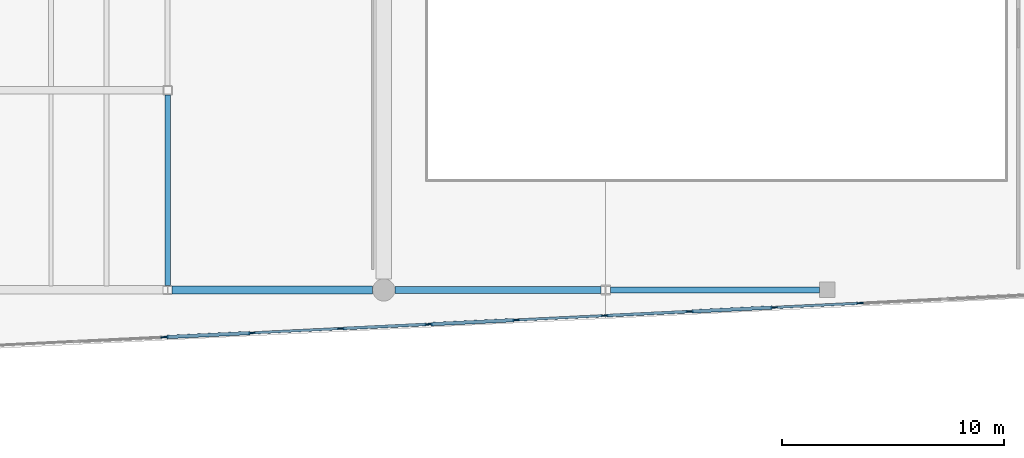
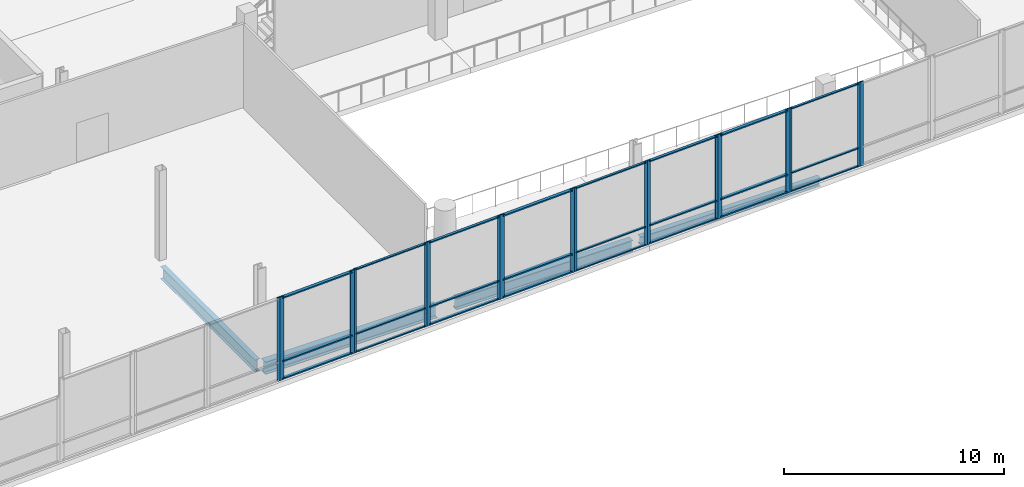
# One storey, part 26 of 81: 42 members, 4 beams, 10 elements without a shape of their own.
"""IFC4 building model written with IfcOpenShell, lengths in metres."""

import ifcopenshell
import ifcopenshell.guid

model = None  # the IFC model being written
_history = None  # IfcOwnerHistory: only IFC2X3 demands one
_inside = {}  # id of a spatial element -> (the spatial element, [elements in it])
_under = {}  # id of a project, library or spatial element -> (it, [spatial elements below it])
_declared = {}  # id of a project -> (the project, [libraries it declares])
_typed = {}  # id of a type object -> (the type object, [elements of that type])
_made_of = {}  # id of a material, layer set ... -> (it, [elements and type objects made of it])


def new_model(schema):
    """Start an empty IFC model of exactly this schema.

    Asked for "IFC4X3", IfcOpenShell would pick the latest addendum, in which some entities
    have other attributes; the version numbers below select the first issue.
    IFC2X3 requires an IfcOwnerHistory on every rooted entity: one is made here for all.
    """
    global model, _history
    if schema == "IFC4X3":
        model = ifcopenshell.file(schema_version=(4, 3, 0, 0))
    else:
        model = ifcopenshell.file(schema=schema)
    _inside.clear()
    _under.clear()
    _declared.clear()
    _typed.clear()
    _made_of.clear()
    _history = None
    if model.schema == "IFC2X3":
        org = make("IfcOrganization", Name="unknown")
        user = make(
            "IfcPersonAndOrganization",
            ThePerson=make("IfcPerson", FamilyName="unknown"),
            TheOrganization=org,
        )
        app = make(
            "IfcApplication",
            ApplicationDeveloper=org,
            Version="unknown",
            ApplicationFullName="unknown",
            ApplicationIdentifier="unknown",
        )
        _history = make(
            "IfcOwnerHistory",
            OwningUser=user,
            OwningApplication=app,
            ChangeAction="ADDED",
            CreationDate=0,
        )
    return model


def make(cls, **values):
    """One entity of the class cls with the attributes given. An attribute that is None is left unset."""
    return model.create_entity(
        cls, **{name: value for name, value in values.items() if value is not None}
    )


def rooted(cls, **values):
    """An entity with a GlobalId (a new one), such as an element, a storey or a relation."""
    return make(cls, GlobalId=ifcopenshell.guid.new(), OwnerHistory=_history, **values)


def si_unit(unit_type, name, prefix=None):
    """IfcSIUnit, for example si_unit("LENGTHUNIT", "METRE", prefix="MILLI")."""
    return make("IfcSIUnit", UnitType=unit_type, Prefix=prefix, Name=name)


def assignment(units):
    """IfcUnitAssignment: the units of a project."""
    return None if units is None else make("IfcUnitAssignment", Units=units)


def point(xyz):
    """IfcCartesianPoint."""
    return None if xyz is None else make("IfcCartesianPoint", Coordinates=xyz)


def direction(xyz):
    """IfcDirection."""
    return None if xyz is None else make("IfcDirection", DirectionRatios=xyz)


def frame(location, z_axis=None, x_axis=None):
    """IfcAxis2Placement3D, a coordinate frame: its origin and axes. An axis left out is left unset."""
    return make(
        "IfcAxis2Placement3D",
        Location=point(location),
        Axis=direction(z_axis),
        RefDirection=direction(x_axis),
    )


def frame_2d(location, x_axis=None):
    """IfcAxis2Placement2D, a coordinate frame in the plane: its origin and x axis."""
    return make(
        "IfcAxis2Placement2D", Location=point(location), RefDirection=direction(x_axis)
    )


def origin():
    """The frame at (0, 0, 0) with its axes left unset."""
    return frame((0.0, 0.0, 0.0))


def origin_2d():
    """The frame at (0, 0) in the plane with its x axis left unset."""
    return frame_2d((0.0, 0.0))


def place(relative_to, where):
    """IfcLocalPlacement: puts the frame where relative to a parent placement (None: the world)."""
    return make(
        "IfcLocalPlacement", PlacementRelTo=relative_to, RelativePlacement=where
    )


def context(
    kind, dimensions, precision=None, world=None, true_north=None, identifier=None
):
    """IfcGeometricRepresentationContext, for example the 3D "Model" context."""
    return make(
        "IfcGeometricRepresentationContext",
        ContextIdentifier=identifier,
        ContextType=kind,
        CoordinateSpaceDimension=dimensions,
        Precision=precision,
        WorldCoordinateSystem=world,
        TrueNorth=true_north,
    )


def subcontext(parent, identifier, kind, view, scale=None):
    """IfcGeometricRepresentationSubContext, for example "Body" below "Model"."""
    return make(
        "IfcGeometricRepresentationSubContext",
        ContextIdentifier=identifier,
        ContextType=kind,
        ParentContext=parent,
        TargetScale=scale,
        TargetView=view,
    )


def project(units=None, contexts=None):
    """IfcProject with its units and contexts."""
    return rooted(
        "IfcProject",
        Name="project",
        RepresentationContexts=contexts,
        UnitsInContext=assignment(units),
    )


def spatial(cls, under=None, at=None, **own):
    """A site, building, storey or space (cls), placed at a placement, below another one or the project."""
    s = rooted(cls, ObjectPlacement=at, **own)
    if under is not None:
        _under.setdefault(under.id(), (under, []))[1].append(s)
    return s


def profile(cls, at=None, kind="AREA", **sizes):
    """A parametric profile (cls). Its sizes go by their IFC names, for example OverallWidth=200.0."""
    return make(cls, ProfileType=kind, Position=at, **sizes)


def rectangle(**sizes):
    """IfcRectangleProfileDef."""
    return profile("IfcRectangleProfileDef", **sizes)


def i_section(**sizes):
    """IfcIShapeProfileDef."""
    return profile("IfcIShapeProfileDef", **sizes)


def extrude(swept, where, along, depth):
    """IfcExtrudedAreaSolid: the profile swept, set in the frame where, extruded along a direction by depth."""
    return make(
        "IfcExtrudedAreaSolid",
        SweptArea=swept,
        Position=where,
        ExtrudedDirection=direction(along),
        Depth=depth,
    )


def shape(context_of_items, identifier, shape_type, items):
    """IfcShapeRepresentation: the items that make up one representation, for example the "Body"."""
    return make(
        "IfcShapeRepresentation",
        ContextOfItems=context_of_items,
        RepresentationIdentifier=identifier,
        RepresentationType=shape_type,
        Items=items,
    )


def material(Name=None, Category=None):
    """IfcMaterial."""
    return make("IfcMaterial", Name=Name, Category=Category)


def material_profile(
    of_material, cross_section, Name=None, Category=None, Priority=None
):
    """IfcMaterialProfile: a cross section and its material."""
    return make(
        "IfcMaterialProfile",
        Name=Name,
        Material=of_material,
        Profile=cross_section,
        Priority=Priority,
        Category=Category,
    )


def profile_set(profiles, Name=None, composite=None):
    """IfcMaterialProfileSet."""
    return make(
        "IfcMaterialProfileSet",
        Name=Name,
        MaterialProfiles=profiles,
        CompositeProfile=composite,
    )


def made_of(thing, what):
    """Note that an element or type object is made of a material, layer set ...; save() writes the relation."""
    if what is not None:
        _made_of.setdefault(what.id(), (what, []))[1].append(thing)
    return thing


def type_object(cls, material=None, **own):
    """A type object (cls), such as IfcWallType, which elements share."""
    return made_of(rooted(cls, **own), material)


def element(
    cls,
    number,
    at=None,
    inside=None,
    cuts=None,
    type_object=None,
    material=None,
    context=None,
    identifier="Body",
    shape_type=None,
    held_by="IfcProductDefinitionShape",
    body=None,
    shapes=None,
    **own,
):
    """One element of the class cls, such as IfcWall. Its Tag is "e" and its number.

    at: its placement. inside: the storey or other place that contains it. cuts: it is an
    opening in that element (IfcRelVoidsElement). A single representation is given by context,
    identifier, shape_type and body (its items); several are given by shapes. held_by: the class
    of the entity that holds the representations. save() writes the other relations.
    """
    e = rooted(cls, Tag="e%d" % number, ObjectPlacement=at, **own)
    if body is not None:
        shapes = [shape(context, identifier, shape_type, body)]
    if shapes is not None:
        e.Representation = make(held_by, Representations=shapes)
    if inside is not None:
        _inside.setdefault(inside.id(), (inside, []))[1].append(e)
    if cuts is not None:
        rooted(
            "IfcRelVoidsElement", RelatingBuildingElement=cuts, RelatedOpeningElement=e
        )
    if type_object is not None:
        _typed.setdefault(type_object.id(), (type_object, []))[1].append(e)
    return made_of(e, material)


def aggregate(whole, parts):
    """IfcRelAggregates: a whole, such as a stair, and the parts it consists of."""
    return rooted("IfcRelAggregates", RelatingObject=whole, RelatedObjects=parts)


def save(model, path):
    """Write the relations noted so far, then the file.

    IfcRelAggregates (storeys below a building ...), IfcRelContainedInSpatialStructure (elements
    in a storey), IfcRelDefinesByType, IfcRelAssociatesMaterial and IfcRelDeclares: one each for
    every whole, place, type object, material and project.
    """
    for whole, parts in _under.values():
        aggregate(whole, parts)
    for where, things in _inside.values():
        rooted(
            "IfcRelContainedInSpatialStructure",
            RelatedElements=things,
            RelatingStructure=where,
        )
    for kind, things in _typed.values():
        rooted("IfcRelDefinesByType", RelatedObjects=things, RelatingType=kind)
    for what, things in _made_of.values():
        rooted("IfcRelAssociatesMaterial", RelatedObjects=things, RelatingMaterial=what)
    for by, libraries in _declared.values():
        rooted("IfcRelDeclares", RelatingContext=by, RelatedDefinitions=libraries)
    model.write(path)


model = new_model("IFC4")

# Units and contexts
model_context = context("Model", 3, precision=1e-05, world=origin(), true_north=direction((0.0, 1.0)))
body_context = subcontext(model_context, "Body", "Model", "MODEL_VIEW")
ifc_project = project(units=[si_unit("LENGTHUNIT", "METRE"), si_unit("AREAUNIT", "SQUARE_METRE"), si_unit("VOLUMEUNIT", "CUBIC_METRE"), si_unit("PLANEANGLEUNIT", "RADIAN"), si_unit("MASSUNIT", "GRAM", prefix="KILO")], contexts=[model_context])

# Site, building, storey
site_placement = place(None, origin())
site = spatial("IfcSite", under=ifc_project, at=site_placement, CompositionType="ELEMENT")
building_placement = place(site_placement, origin())
building = spatial("IfcBuilding", under=site, at=building_placement, Name="Trimount Lyric Opera House", CompositionType="ELEMENT")
storey_placement = place(building_placement, frame((0.0, 0.0, 5.0)))
storey = spatial("IfcBuildingStorey", under=building, at=storey_placement, Name="L01", CompositionType="ELEMENT", Elevation=5.0)

# Beams
ifc_material_1 = material(Name="Steel ASTM A992 Grade 50", Category="steel")
ifc_material_profile_1 = material_profile(ifc_material_1, i_section(OverallWidth=0.35595703125, OverallDepth=0.700927734375, WebThickness=0.016845703125, FlangeThickness=0.02734375, FilletRadius=0.01806640625, at=origin_2d()), Name="W27X161")
ifc_profile_set_1 = profile_set([ifc_material_profile_1], Name="Steel ASTM A992 Grade 50")
beam_type_1 = type_object("IfcBeamType", Name="B-08", PredefinedType="BEAM", material=ifc_profile_set_1)
beam_1_placement = place(storey_placement, frame((64.462890625, 26.0, -0.650390625), z_axis=(1.0, 0.0, 0.0), x_axis=(0.0, 1.0, 0.0)))
element("IfcBeam", 1, at=beam_1_placement, inside=storey, type_object=beam_type_1, Name="L01 girder X-0468", PredefinedType="BEAM", context=body_context, shape_type="SweptSolid", body=[
    extrude(i_section(OverallWidth=0.35595703125, OverallDepth=0.700927734375, WebThickness=0.016845703125, FlangeThickness=0.02734375, FilletRadius=0.01806640625, at=origin_2d()), origin(), (0.0, 0.0, 1.0), 9.037109375),
])
ifc_material_2 = material(Name="Steel ASTM A992 Grade 50", Category="steel")
ifc_material_profile_2 = material_profile(ifc_material_2, i_section(OverallWidth=0.25390625, OverallDepth=0.68798828125, WebThickness=0.01318359375, FlangeThickness=0.02099609375, FilletRadius=0.01611328125, at=origin_2d()), Name="W27X102")
ifc_profile_set_2 = profile_set([ifc_material_profile_2], Name="Steel ASTM A992 Grade 50")
beam_type_2 = type_object("IfcBeamType", Name="B-09", PredefinedType="BEAM", material=ifc_profile_set_2)
beam_2_placement = place(storey_placement, frame((64.260009765625, 26.20849609375, -0.64404296875), z_axis=(0.0, 1.0, 0.0), x_axis=(-1.0, 0.0, 0.0)))
element("IfcBeam", 2, at=beam_2_placement, inside=storey, type_object=beam_type_2, Name="L01 girder Y-0647", PredefinedType="BEAM", context=body_context, shape_type="SweptSolid", body=[
    extrude(i_section(OverallWidth=0.25390625, OverallDepth=0.68798828125, WebThickness=0.01318359375, FlangeThickness=0.02099609375, FilletRadius=0.01611328125, at=origin_2d()), origin(), (0.0, 0.0, 1.0), 8.58837890625),
])
ifc_material_3 = material(Name="Steel ASTM A992 Grade 50", Category="steel")
ifc_material_profile_3 = material_profile(ifc_material_3, i_section(OverallWidth=0.327880859375, OverallDepth=0.626953125, WebThickness=0.0166015625, FlangeThickness=0.027587890625, FilletRadius=0.01611328125, at=origin_2d()), Name="W24X146")
ifc_profile_set_3 = profile_set([ifc_material_profile_3], Name="Steel ASTM A992 Grade 50")
beam_type_3 = type_object("IfcBeamType", Name="B-10", PredefinedType="BEAM", material=ifc_profile_set_3)
beam_3_placement = place(storey_placement, frame((74.5, 26.0, -0.613525390625), z_axis=(1.0, 0.0, 0.0), x_axis=(0.0, 1.0, 0.0)))
element("IfcBeam", 3, at=beam_3_placement, inside=storey, type_object=beam_type_3, Name="L01 girder X-0469", PredefinedType="BEAM", context=body_context, shape_type="SweptSolid", body=[
    extrude(i_section(OverallWidth=0.327880859375, OverallDepth=0.626953125, WebThickness=0.0166015625, FlangeThickness=0.027587890625, FilletRadius=0.01611328125, at=origin_2d()), origin(), (0.0, 0.0, 1.0), 9.2890625),
])

# Curtain wall, members
ifc_material_4 = material(Name="Thermally Broken Aluminium and Low-E Glass", Category="aluminium")
curtain_wall_type = type_object("IfcCurtainWallType", Name="CW-01", PredefinedType="NOTDEFINED", material=ifc_material_4)
curtain_wall_1_placement = place(storey_placement, origin())
curtain_wall_1 = element("IfcCurtainWall", 4, at=curtain_wall_1_placement, inside=storey, type_object=curtain_wall_type, Name="L01 curtain wall 099", PredefinedType="NOTDEFINED")
ifc_material_5 = material(Name="Anodised Aluminium 6063-T6", Category="aluminium")
ifc_material_profile_4 = material_profile(ifc_material_5, rectangle(XDim=0.070068359375, YDim=0.219970703125, at=origin_2d()), Name="ALU-MULL-70X220")
ifc_profile_set_4 = profile_set([ifc_material_profile_4], Name="Anodised Aluminium 6063-T6")
member_type_1 = type_object("IfcMemberType", Name="ML-01", PredefinedType="MULLION", material=ifc_profile_set_4)
member_1_placement = place(storey_placement, frame((91.5380859375, 25.211181640625, 0.0), z_axis=(0.0, 0.0, 1.0), x_axis=(0.048806917619, -0.998808232241, 0.0)))
member_1 = element("IfcMember", 5, at=member_1_placement, type_object=member_type_1, Name="CW-01 mullion 1", PredefinedType="MULLION", context=body_context, shape_type="SweptSolid", body=[
    extrude(rectangle(XDim=0.070068359375, YDim=0.219970703125, at=origin_2d()), origin(), (0.0, 0.0, 1.0), 4.679931640625),
])
member_2_placement = place(storey_placement, frame((87.863037109375, 25.03173828125, 0.0), z_axis=(0.0, 0.0, 1.0), x_axis=(0.048806917619, -0.998808232241, 0.0)))
member_2 = element("IfcMember", 6, at=member_2_placement, type_object=member_type_1, Name="CW-01 mullion 2", PredefinedType="MULLION", context=body_context, shape_type="SweptSolid", body=[
    extrude(rectangle(XDim=0.070068359375, YDim=0.219970703125, at=origin_2d()), origin(), (0.0, 0.0, 1.0), 4.679931640625),
])

curtain_wall_2_placement = place(storey_placement, origin())
curtain_wall_2 = element("IfcCurtainWall", 7, at=curtain_wall_2_placement, inside=storey, type_object=curtain_wall_type, Name="L01 curtain wall 102", PredefinedType="NOTDEFINED")
member_3_placement = place(storey_placement, frame((79.900146484375, 24.643310546875, 0.0), z_axis=(0.0, 0.0, 1.0), x_axis=(0.048678684537, -0.998814490119, 0.0)))
member_3 = element("IfcMember", 8, at=member_3_placement, type_object=member_type_1, Name="CW-01 mullion 1", PredefinedType="MULLION", context=body_context, shape_type="SweptSolid", body=[
    extrude(rectangle(XDim=0.070068359375, YDim=0.219970703125, at=origin_2d()), origin(), (0.0, 0.0, 1.0), 4.679931640625),
])
member_4_placement = place(storey_placement, frame((76.092041015625, 24.457763671875, 0.0), z_axis=(0.0, 0.0, 1.0), x_axis=(0.048678684537, -0.998814490119, 0.0)))
member_4 = element("IfcMember", 9, at=member_4_placement, type_object=member_type_1, Name="CW-01 mullion 2", PredefinedType="MULLION", context=body_context, shape_type="SweptSolid", body=[
    extrude(rectangle(XDim=0.070068359375, YDim=0.219970703125, at=origin_2d()), origin(), (0.0, 0.0, 1.0), 4.679931640625),
])

curtain_wall_3_placement = place(storey_placement, origin())
curtain_wall_3 = element("IfcCurtainWall", 10, at=curtain_wall_3_placement, inside=storey, type_object=curtain_wall_type, Name="L01 curtain wall 105", PredefinedType="NOTDEFINED")
member_5_placement = place(storey_placement, frame((67.99609375, 24.062255859375, 0.0), z_axis=(0.0, 0.0, 1.0), x_axis=(0.048678684537, -0.998814490119, 0.0)))
member_5 = element("IfcMember", 11, at=member_5_placement, type_object=member_type_1, Name="CW-01 mullion 1", PredefinedType="MULLION", context=body_context, shape_type="SweptSolid", body=[
    extrude(rectangle(XDim=0.070068359375, YDim=0.219970703125, at=origin_2d()), origin(), (0.0, 0.0, 1.0), 4.64990234375),
])
member_6_placement = place(storey_placement, frame((64.18798828125, 23.876708984375, 0.0), z_axis=(0.0, 0.0, 1.0), x_axis=(0.048678684537, -0.998814490119, 0.0)))
member_6 = element("IfcMember", 12, at=member_6_placement, type_object=member_type_1, Name="CW-01 mullion 2", PredefinedType="MULLION", context=body_context, shape_type="SweptSolid", body=[
    extrude(rectangle(XDim=0.070068359375, YDim=0.219970703125, at=origin_2d()), origin(), (0.0, 0.0, 1.0), 4.64990234375),
])

# Curtain wall, member
curtain_wall_4_placement = place(storey_placement, origin())
curtain_wall_4 = element("IfcCurtainWall", 13, at=curtain_wall_4_placement, inside=storey, type_object=curtain_wall_type, Name="L01 curtain wall 097", PredefinedType="NOTDEFINED")
ifc_material_6 = material(Name="Anodised Aluminium 6063-T6", Category="aluminium")
ifc_material_profile_5 = material_profile(ifc_material_6, rectangle(XDim=0.06494140625, YDim=0.179931640625, at=origin_2d()), Name="ALU-MULL-65X180")
ifc_profile_set_5 = profile_set([ifc_material_profile_5], Name="Anodised Aluminium 6063-T6")
member_type_2 = type_object("IfcMemberType", Name="ML-02", PredefinedType="MULLION", material=ifc_profile_set_5)
member_7_placement = place(storey_placement, frame((95.530517578125, 25.405517578125, 0.0), z_axis=(0.0, 0.0, 1.0), x_axis=(0.048806917619, -0.998808232241, 0.0)))
member_7 = element("IfcMember", 14, at=member_7_placement, type_object=member_type_2, Name="CW-01 mullion 2", PredefinedType="MULLION", context=body_context, shape_type="SweptSolid", body=[
    extrude(rectangle(XDim=0.06494140625, YDim=0.179931640625, at=origin_2d()), origin(), (0.0, 0.0, 1.0), 4.679931640625),
])
aggregate(curtain_wall_4, [member_7])

# Curtain wall, members
curtain_wall_5_placement = place(storey_placement, origin())
curtain_wall_5 = element("IfcCurtainWall", 15, at=curtain_wall_5_placement, inside=storey, type_object=curtain_wall_type, Name="L01 curtain wall 100", PredefinedType="NOTDEFINED")
member_8_placement = place(storey_placement, frame((87.70556640625, 25.0244140625, 0.0), z_axis=(0.0, 0.0, 1.0), x_axis=(0.048806917619, -0.998808232241, 0.0)))
member_8 = element("IfcMember", 16, at=member_8_placement, type_object=member_type_2, Name="CW-01 mullion 1", PredefinedType="MULLION", context=body_context, shape_type="SweptSolid", body=[
    extrude(rectangle(XDim=0.06494140625, YDim=0.179931640625, at=origin_2d()), origin(), (0.0, 0.0, 1.0), 4.679931640625),
])
member_9_placement = place(storey_placement, frame((84.025390625, 24.844482421875, 0.0), z_axis=(0.0, 0.0, 1.0), x_axis=(0.048806917619, -0.998808232241, 0.0)))
member_9 = element("IfcMember", 17, at=member_9_placement, type_object=member_type_2, Name="CW-01 mullion 2", PredefinedType="MULLION", context=body_context, shape_type="SweptSolid", body=[
    extrude(rectangle(XDim=0.06494140625, YDim=0.179931640625, at=origin_2d()), origin(), (0.0, 0.0, 1.0), 4.679931640625),
])

curtain_wall_6_placement = place(storey_placement, origin())
curtain_wall_6 = element("IfcCurtainWall", 18, at=curtain_wall_6_placement, inside=storey, type_object=curtain_wall_type, Name="L01 curtain wall 103", PredefinedType="NOTDEFINED")
member_10_placement = place(storey_placement, frame((75.9345703125, 24.449462890625, 0.0), z_axis=(0.0, 0.0, 1.0), x_axis=(0.048678684537, -0.998814490119, 0.0)))
member_10 = element("IfcMember", 19, at=member_10_placement, type_object=member_type_2, Name="CW-01 mullion 1", PredefinedType="MULLION", context=body_context, shape_type="SweptSolid", body=[
    extrude(rectangle(XDim=0.06494140625, YDim=0.179931640625, at=origin_2d()), origin(), (0.0, 0.0, 1.0), 4.679931640625),
])
member_11_placement = place(storey_placement, frame((72.12158203125, 24.263671875, 0.0), z_axis=(0.0, 0.0, 1.0), x_axis=(0.048678684537, -0.998814490119, 0.0)))
member_11 = element("IfcMember", 20, at=member_11_placement, type_object=member_type_2, Name="CW-01 mullion 2", PredefinedType="MULLION", context=body_context, shape_type="SweptSolid", body=[
    extrude(rectangle(XDim=0.06494140625, YDim=0.179931640625, at=origin_2d()), origin(), (0.0, 0.0, 1.0), 4.679931640625),
])

# Curtain wall, member
curtain_wall_7_placement = place(storey_placement, origin())
curtain_wall_7 = element("IfcCurtainWall", 21, at=curtain_wall_7_placement, inside=storey, type_object=curtain_wall_type, Name="L01 curtain wall 106", PredefinedType="NOTDEFINED")
member_12_placement = place(storey_placement, frame((64.030517578125, 23.868408203125, 0.0), z_axis=(0.0, 0.0, 1.0), x_axis=(0.048678684537, -0.998814490119, 0.0)))
member_12 = element("IfcMember", 22, at=member_12_placement, type_object=member_type_2, Name="CW-01 mullion 1", PredefinedType="MULLION", context=body_context, shape_type="SweptSolid", body=[
    extrude(rectangle(XDim=0.06494140625, YDim=0.179931640625, at=origin_2d()), origin(), (0.0, 0.0, 1.0), 4.64990234375),
])
aggregate(curtain_wall_7, [member_12])

# Curtain wall, members
curtain_wall_8_placement = place(storey_placement, origin())
curtain_wall_8 = element("IfcCurtainWall", 23, at=curtain_wall_8_placement, inside=storey, type_object=curtain_wall_type, Name="L01 curtain wall 098", PredefinedType="NOTDEFINED")
ifc_material_7 = material(Name="Anodised Aluminium 6063-T6", Category="aluminium")
ifc_material_profile_6 = material_profile(ifc_material_7, rectangle(XDim=0.06005859375, YDim=0.14990234375, at=origin_2d()), Name="ALU-MULL-60X150")
ifc_profile_set_6 = profile_set([ifc_material_profile_6], Name="Anodised Aluminium 6063-T6")
member_type_3 = type_object("IfcMemberType", Name="ML-03", PredefinedType="MULLION", material=ifc_profile_set_6)
member_13_placement = place(storey_placement, frame((95.3779296875, 25.3984375, 0.0), z_axis=(0.0, 0.0, 1.0), x_axis=(0.048806917619, -0.998808232241, 0.0)))
member_13 = element("IfcMember", 24, at=member_13_placement, type_object=member_type_3, Name="CW-01 mullion 1", PredefinedType="MULLION", context=body_context, shape_type="SweptSolid", body=[
    extrude(rectangle(XDim=0.06005859375, YDim=0.14990234375, at=origin_2d()), origin(), (0.0, 0.0, 1.0), 4.679931640625),
])
member_14_placement = place(storey_placement, frame((91.69287109375, 25.218505859375, 0.0), z_axis=(0.0, 0.0, 1.0), x_axis=(0.048806917619, -0.998808232241, 0.0)))
member_14 = element("IfcMember", 25, at=member_14_placement, type_object=member_type_3, Name="CW-01 mullion 2", PredefinedType="MULLION", context=body_context, shape_type="SweptSolid", body=[
    extrude(rectangle(XDim=0.06005859375, YDim=0.14990234375, at=origin_2d()), origin(), (0.0, 0.0, 1.0), 4.679931640625),
])

curtain_wall_9_placement = place(storey_placement, origin())
curtain_wall_9 = element("IfcCurtainWall", 26, at=curtain_wall_9_placement, inside=storey, type_object=curtain_wall_type, Name="L01 curtain wall 101", PredefinedType="NOTDEFINED")
member_15_placement = place(storey_placement, frame((83.873046875, 24.83642578125, 0.0), z_axis=(0.0, 0.0, 1.0), x_axis=(0.048678684537, -0.998814490119, 0.0)))
member_15 = element("IfcMember", 27, at=member_15_placement, type_object=member_type_3, Name="CW-01 mullion 1", PredefinedType="MULLION", context=body_context, shape_type="SweptSolid", body=[
    extrude(rectangle(XDim=0.06005859375, YDim=0.14990234375, at=origin_2d()), origin(), (0.0, 0.0, 1.0), 4.679931640625),
])
member_16_placement = place(storey_placement, frame((80.054931640625, 24.650390625, 0.0), z_axis=(0.0, 0.0, 1.0), x_axis=(0.048678684537, -0.998814490119, 0.0)))
member_16 = element("IfcMember", 28, at=member_16_placement, type_object=member_type_3, Name="CW-01 mullion 2", PredefinedType="MULLION", context=body_context, shape_type="SweptSolid", body=[
    extrude(rectangle(XDim=0.06005859375, YDim=0.14990234375, at=origin_2d()), origin(), (0.0, 0.0, 1.0), 4.679931640625),
])

curtain_wall_10_placement = place(storey_placement, origin())
curtain_wall_10 = element("IfcCurtainWall", 29, at=curtain_wall_10_placement, inside=storey, type_object=curtain_wall_type, Name="L01 curtain wall 104", PredefinedType="NOTDEFINED")
member_17_placement = place(storey_placement, frame((71.968994140625, 24.256591796875, 0.0), z_axis=(0.0, 0.0, 1.0), x_axis=(0.048935628556, -0.998801934448, 0.0)))
member_17 = element("IfcMember", 30, at=member_17_placement, type_object=member_type_3, Name="CW-01 mullion 1", PredefinedType="MULLION", context=body_context, shape_type="SweptSolid", body=[
    extrude(rectangle(XDim=0.06005859375, YDim=0.14990234375, at=origin_2d()), origin(), (0.0, 0.0, 1.0), 4.679931640625),
])
member_18_placement = place(storey_placement, frame((68.15087890625, 24.069580078125, 0.0), z_axis=(0.0, 0.0, 1.0), x_axis=(0.048935628556, -0.998801934448, 0.0)))
member_18 = element("IfcMember", 31, at=member_18_placement, type_object=member_type_3, Name="CW-01 mullion 2", PredefinedType="MULLION", context=body_context, shape_type="SweptSolid", body=[
    extrude(rectangle(XDim=0.06005859375, YDim=0.14990234375, at=origin_2d()), origin(), (0.0, 0.0, 1.0), 4.679931640625),
])

# Beam
ifc_material_8 = material(Name="Steel ASTM A992 Grade 50", Category="steel")
ifc_material_profile_7 = material_profile(ifc_material_8, i_section(OverallWidth=0.281982421875, OverallDepth=0.467041015625, WebThickness=0.01220703125, FlangeThickness=0.01953125, FilletRadius=0.012939453125, at=origin_2d()), Name="W18X86")
ifc_profile_set_7 = profile_set([ifc_material_profile_7], Name="Steel ASTM A992 Grade 50")
beam_type_4 = type_object("IfcBeamType", Name="SP-01", PredefinedType="SPANDREL", material=ifc_profile_set_7)
beam_4_placement = place(storey_placement, frame((84.2109375, 26.0, -0.533447265625), z_axis=(1.0, 0.0, 0.0), x_axis=(0.0, 1.0, 0.0)))
element("IfcBeam", 32, at=beam_4_placement, inside=storey, type_object=beam_type_4, Name="L01 girder X-0470", PredefinedType="SPANDREL", context=body_context, shape_type="SweptSolid", body=[
    extrude(i_section(OverallWidth=0.281982421875, OverallDepth=0.467041015625, WebThickness=0.01220703125, FlangeThickness=0.01953125, FilletRadius=0.012939453125, at=origin_2d()), origin(), (0.0, 0.0, 1.0), 9.43896484375),
])

# Member
ifc_material_9 = material(Name="Anodised Aluminium 6063-T6", Category="aluminium")
ifc_material_profile_8 = material_profile(ifc_material_9, rectangle(XDim=0.159912109375, YDim=0.070068359375, at=origin_2d()), Name="ALU-TRAN-70X160")
ifc_profile_set_8 = profile_set([ifc_material_profile_8], Name="Anodised Aluminium 6063-T6")
member_type_4 = type_object("IfcMemberType", Name="TR-01", PredefinedType="USERDEFINED", material=ifc_profile_set_8)
member_19_placement = place(storey_placement, frame((91.503173828125, 25.20947265625, 0.080078125), z_axis=(-0.998810182509, -0.048766990018, 0.0), x_axis=(0.048766990018, -0.998810182509, 0.0)))
member_19 = element("IfcMember", 33, at=member_19_placement, type_object=member_type_4, Name="CW-01 transom 1.1", ObjectType="TRANSOM", PredefinedType="USERDEFINED", context=body_context, shape_type="SweptSolid", body=[
    extrude(rectangle(XDim=0.159912109375, YDim=0.070068359375, at=origin_2d()), origin(), (0.0, 0.0, 1.0), 3.609619140625),
])

member_20_placement = place(storey_placement, frame((91.503173828125, 25.20947265625, 1.050048828125), z_axis=(-0.998810182509, -0.048766990018, 0.0), x_axis=(0.048766990018, -0.998810182509, 0.0)))
member_20 = element("IfcMember", 34, at=member_20_placement, type_object=member_type_4, Name="CW-01 transom 1.2", ObjectType="TRANSOM", PredefinedType="USERDEFINED", context=body_context, shape_type="SweptSolid", body=[
    extrude(rectangle(XDim=0.159912109375, YDim=0.070068359375, at=origin_2d()), origin(), (0.0, 0.0, 1.0), 3.609619140625),
])

member_21_placement = place(storey_placement, frame((91.503173828125, 25.20947265625, 4.60009765625), z_axis=(-0.998810182509, -0.048766990018, 0.0), x_axis=(0.048766990018, -0.998810182509, 0.0)))
member_21 = element("IfcMember", 35, at=member_21_placement, type_object=member_type_4, Name="CW-01 transom 1.3", ObjectType="TRANSOM", PredefinedType="USERDEFINED", context=body_context, shape_type="SweptSolid", body=[
    extrude(rectangle(XDim=0.159912109375, YDim=0.070068359375, at=origin_2d()), origin(), (0.0, 0.0, 1.0), 3.609619140625),
])

aggregate(curtain_wall_1, [member_1, member_2, member_19, member_20, member_21])

member_22_placement = place(storey_placement, frame((79.864990234375, 24.6416015625, 0.080078125), z_axis=(-0.998815136986, -0.048665409979, 0.0), x_axis=(0.048665409979, -0.998815136986, 0.0)))
member_22 = element("IfcMember", 36, at=member_22_placement, type_object=member_type_4, Name="CW-01 transom 1.1", ObjectType="TRANSOM", PredefinedType="USERDEFINED", context=body_context, shape_type="SweptSolid", body=[
    extrude(rectangle(XDim=0.159912109375, YDim=0.070068359375, at=origin_2d()), origin(), (0.0, 0.0, 1.0), 3.742431640625),
])

member_23_placement = place(storey_placement, frame((79.864990234375, 24.6416015625, 1.050048828125), z_axis=(-0.998815136986, -0.048665409979, 0.0), x_axis=(0.048665409979, -0.998815136986, 0.0)))
member_23 = element("IfcMember", 37, at=member_23_placement, type_object=member_type_4, Name="CW-01 transom 1.2", ObjectType="TRANSOM", PredefinedType="USERDEFINED", context=body_context, shape_type="SweptSolid", body=[
    extrude(rectangle(XDim=0.159912109375, YDim=0.070068359375, at=origin_2d()), origin(), (0.0, 0.0, 1.0), 3.742431640625),
])

member_24_placement = place(storey_placement, frame((79.864990234375, 24.6416015625, 4.60009765625), z_axis=(-0.998815136986, -0.048665409979, 0.0), x_axis=(0.048665409979, -0.998815136986, 0.0)))
member_24 = element("IfcMember", 38, at=member_24_placement, type_object=member_type_4, Name="CW-01 transom 1.3", ObjectType="TRANSOM", PredefinedType="USERDEFINED", context=body_context, shape_type="SweptSolid", body=[
    extrude(rectangle(XDim=0.159912109375, YDim=0.070068359375, at=origin_2d()), origin(), (0.0, 0.0, 1.0), 3.742431640625),
])

aggregate(curtain_wall_2, [member_3, member_4, member_22, member_23, member_24])

member_25_placement = place(storey_placement, frame((67.961181640625, 24.060546875, 0.080078125), z_axis=(-0.998815291468, -0.048662239253, 0.0), x_axis=(0.048662239253, -0.998815291468, 0.0)))
member_25 = element("IfcMember", 39, at=member_25_placement, type_object=member_type_4, Name="CW-01 transom 1.1", ObjectType="TRANSOM", PredefinedType="USERDEFINED", context=body_context, shape_type="SweptSolid", body=[
    extrude(rectangle(XDim=0.159912109375, YDim=0.070068359375, at=origin_2d()), origin(), (0.0, 0.0, 1.0), 3.74267578125),
])

member_26_placement = place(storey_placement, frame((67.961181640625, 24.060546875, 1.050048828125), z_axis=(-0.998815291468, -0.048662239253, 0.0), x_axis=(0.048662239253, -0.998815291468, 0.0)))
member_26 = element("IfcMember", 40, at=member_26_placement, type_object=member_type_4, Name="CW-01 transom 1.2", ObjectType="TRANSOM", PredefinedType="USERDEFINED", context=body_context, shape_type="SweptSolid", body=[
    extrude(rectangle(XDim=0.159912109375, YDim=0.070068359375, at=origin_2d()), origin(), (0.0, 0.0, 1.0), 3.74267578125),
])

member_27_placement = place(storey_placement, frame((67.961181640625, 24.060546875, 4.570068359375), z_axis=(-0.998815291468, -0.048662239253, 0.0), x_axis=(0.048662239253, -0.998815291468, 0.0)))
member_27 = element("IfcMember", 41, at=member_27_placement, type_object=member_type_4, Name="CW-01 transom 1.3", ObjectType="TRANSOM", PredefinedType="USERDEFINED", context=body_context, shape_type="SweptSolid", body=[
    extrude(rectangle(XDim=0.159912109375, YDim=0.070068359375, at=origin_2d()), origin(), (0.0, 0.0, 1.0), 3.74267578125),
])

aggregate(curtain_wall_3, [member_5, member_6, member_25, member_26, member_27])

ifc_material_10 = material(Name="Anodised Aluminium 6063-T6", Category="aluminium")
ifc_material_profile_9 = material_profile(ifc_material_10, rectangle(XDim=0.135009765625, YDim=0.06494140625, at=origin_2d()), Name="ALU-TRAN-65X135")
ifc_profile_set_9 = profile_set([ifc_material_profile_9], Name="Anodised Aluminium 6063-T6")
member_type_5 = type_object("IfcMemberType", Name="TR-02", PredefinedType="USERDEFINED", material=ifc_profile_set_9)
member_28_placement = place(storey_placement, frame((87.673095703125, 25.02294921875, 0.0673828125), z_axis=(-0.998806900814, -0.048834156955, 0.0), x_axis=(0.048834156955, -0.998806900814, 0.0)))
member_28 = element("IfcMember", 42, at=member_28_placement, type_object=member_type_5, Name="CW-01 transom 1.1", ObjectType="TRANSOM", PredefinedType="USERDEFINED", context=body_context, shape_type="SweptSolid", body=[
    extrude(rectangle(XDim=0.135009765625, YDim=0.06494140625, at=origin_2d()), origin(), (0.0, 0.0, 1.0), 3.61962890625),
])

member_29_placement = place(storey_placement, frame((87.673095703125, 25.02294921875, 1.050048828125), z_axis=(-0.998806900814, -0.048834156955, 0.0), x_axis=(0.048834156955, -0.998806900814, 0.0)))
member_29 = element("IfcMember", 43, at=member_29_placement, type_object=member_type_5, Name="CW-01 transom 1.2", ObjectType="TRANSOM", PredefinedType="USERDEFINED", context=body_context, shape_type="SweptSolid", body=[
    extrude(rectangle(XDim=0.135009765625, YDim=0.06494140625, at=origin_2d()), origin(), (0.0, 0.0, 1.0), 3.61962890625),
])

member_30_placement = place(storey_placement, frame((87.673095703125, 25.02294921875, 4.612548828125), z_axis=(-0.998806900814, -0.048834156955, 0.0), x_axis=(0.048834156955, -0.998806900814, 0.0)))
member_30 = element("IfcMember", 44, at=member_30_placement, type_object=member_type_5, Name="CW-01 transom 1.3", ObjectType="TRANSOM", PredefinedType="USERDEFINED", context=body_context, shape_type="SweptSolid", body=[
    extrude(rectangle(XDim=0.135009765625, YDim=0.06494140625, at=origin_2d()), origin(), (0.0, 0.0, 1.0), 3.61962890625),
])

aggregate(curtain_wall_5, [member_8, member_9, member_28, member_29, member_30])

member_31_placement = place(storey_placement, frame((75.902099609375, 24.44775390625, 0.0673828125), z_axis=(-0.998815283621, -0.048662400322, 0.0), x_axis=(0.048662400322, -0.998815283621, 0.0)))
member_31 = element("IfcMember", 45, at=member_31_placement, type_object=member_type_5, Name="CW-01 transom 1.1", ObjectType="TRANSOM", PredefinedType="USERDEFINED", context=body_context, shape_type="SweptSolid", body=[
    extrude(rectangle(XDim=0.135009765625, YDim=0.06494140625, at=origin_2d()), origin(), (0.0, 0.0, 1.0), 3.752685546875),
])

member_32_placement = place(storey_placement, frame((75.902099609375, 24.44775390625, 1.050048828125), z_axis=(-0.998815283621, -0.048662400322, 0.0), x_axis=(0.048662400322, -0.998815283621, 0.0)))
member_32 = element("IfcMember", 46, at=member_32_placement, type_object=member_type_5, Name="CW-01 transom 1.2", ObjectType="TRANSOM", PredefinedType="USERDEFINED", context=body_context, shape_type="SweptSolid", body=[
    extrude(rectangle(XDim=0.135009765625, YDim=0.06494140625, at=origin_2d()), origin(), (0.0, 0.0, 1.0), 3.752685546875),
])

member_33_placement = place(storey_placement, frame((75.902099609375, 24.44775390625, 4.612548828125), z_axis=(-0.998815283621, -0.048662400322, 0.0), x_axis=(0.048662400322, -0.998815283621, 0.0)))
member_33 = element("IfcMember", 47, at=member_33_placement, type_object=member_type_5, Name="CW-01 transom 1.3", ObjectType="TRANSOM", PredefinedType="USERDEFINED", context=body_context, shape_type="SweptSolid", body=[
    extrude(rectangle(XDim=0.135009765625, YDim=0.06494140625, at=origin_2d()), origin(), (0.0, 0.0, 1.0), 3.752685546875),
])

aggregate(curtain_wall_6, [member_10, member_11, member_31, member_32, member_33])

ifc_material_11 = material(Name="Anodised Aluminium 6063-T6", Category="aluminium")
ifc_material_profile_10 = material_profile(ifc_material_11, rectangle(XDim=0.114990234375, YDim=0.06005859375, at=origin_2d()), Name="ALU-TRAN-60X115")
ifc_profile_set_10 = profile_set([ifc_material_profile_10], Name="Anodised Aluminium 6063-T6")
member_type_6 = type_object("IfcMemberType", Name="TR-03", PredefinedType="USERDEFINED", material=ifc_profile_set_10)
member_34_placement = place(storey_placement, frame((95.34814453125, 25.39697265625, 0.0576171875), z_axis=(-0.998810194491, -0.04876674463, 0.0), x_axis=(0.04876674463, -0.998810194491, 0.0)))
member_34 = element("IfcMember", 48, at=member_34_placement, type_object=member_type_6, Name="CW-01 transom 1.1", ObjectType="TRANSOM", PredefinedType="USERDEFINED", context=body_context, shape_type="SweptSolid", body=[
    extrude(rectangle(XDim=0.114990234375, YDim=0.06005859375, at=origin_2d()), origin(), (0.0, 0.0, 1.0), 3.629638671875),
])

member_35_placement = place(storey_placement, frame((95.34814453125, 25.39697265625, 1.050048828125), z_axis=(-0.998810194491, -0.04876674463, 0.0), x_axis=(0.04876674463, -0.998810194491, 0.0)))
member_35 = element("IfcMember", 49, at=member_35_placement, type_object=member_type_6, Name="CW-01 transom 1.2", ObjectType="TRANSOM", PredefinedType="USERDEFINED", context=body_context, shape_type="SweptSolid", body=[
    extrude(rectangle(XDim=0.114990234375, YDim=0.06005859375, at=origin_2d()), origin(), (0.0, 0.0, 1.0), 3.629638671875),
])

member_36_placement = place(storey_placement, frame((95.34814453125, 25.39697265625, 4.62255859375), z_axis=(-0.998810194491, -0.04876674463, 0.0), x_axis=(0.04876674463, -0.998810194491, 0.0)))
member_36 = element("IfcMember", 50, at=member_36_placement, type_object=member_type_6, Name="CW-01 transom 1.3", ObjectType="TRANSOM", PredefinedType="USERDEFINED", context=body_context, shape_type="SweptSolid", body=[
    extrude(rectangle(XDim=0.114990234375, YDim=0.06005859375, at=origin_2d()), origin(), (0.0, 0.0, 1.0), 3.629638671875),
])

aggregate(curtain_wall_8, [member_13, member_14, member_34, member_35, member_36])

member_37_placement = place(storey_placement, frame((83.843017578125, 24.8349609375, 0.0576171875), z_axis=(-0.998815122154, -0.048665714391, 0.0), x_axis=(0.048665714391, -0.998815122154, 0.0)))
member_37 = element("IfcMember", 51, at=member_37_placement, type_object=member_type_6, Name="CW-01 transom 1.1", ObjectType="TRANSOM", PredefinedType="USERDEFINED", context=body_context, shape_type="SweptSolid", body=[
    extrude(rectangle(XDim=0.114990234375, YDim=0.06005859375, at=origin_2d()), origin(), (0.0, 0.0, 1.0), 3.762451171875),
])

member_38_placement = place(storey_placement, frame((83.843017578125, 24.8349609375, 1.050048828125), z_axis=(-0.998815122154, -0.048665714391, 0.0), x_axis=(0.048665714391, -0.998815122154, 0.0)))
member_38 = element("IfcMember", 52, at=member_38_placement, type_object=member_type_6, Name="CW-01 transom 1.2", ObjectType="TRANSOM", PredefinedType="USERDEFINED", context=body_context, shape_type="SweptSolid", body=[
    extrude(rectangle(XDim=0.114990234375, YDim=0.06005859375, at=origin_2d()), origin(), (0.0, 0.0, 1.0), 3.762451171875),
])

member_39_placement = place(storey_placement, frame((83.843017578125, 24.8349609375, 4.62255859375), z_axis=(-0.998815122154, -0.048665714391, 0.0), x_axis=(0.048665714391, -0.998815122154, 0.0)))
member_39 = element("IfcMember", 53, at=member_39_placement, type_object=member_type_6, Name="CW-01 transom 1.3", ObjectType="TRANSOM", PredefinedType="USERDEFINED", context=body_context, shape_type="SweptSolid", body=[
    extrude(rectangle(XDim=0.114990234375, YDim=0.06005859375, at=origin_2d()), origin(), (0.0, 0.0, 1.0), 3.762451171875),
])

aggregate(curtain_wall_9, [member_15, member_16, member_37, member_38, member_39])

member_40_placement = place(storey_placement, frame((71.93896484375, 24.255126953125, 0.0576171875), z_axis=(-0.998802472508, -0.048924645246, 0.0), x_axis=(0.048924645246, -0.998802472508, 0.0)))
member_40 = element("IfcMember", 54, at=member_40_placement, type_object=member_type_6, Name="CW-01 transom 1.1", ObjectType="TRANSOM", PredefinedType="USERDEFINED", context=body_context, shape_type="SweptSolid", body=[
    extrude(rectangle(XDim=0.114990234375, YDim=0.06005859375, at=origin_2d()), origin(), (0.0, 0.0, 1.0), 3.762451171875),
])

member_41_placement = place(storey_placement, frame((71.93896484375, 24.255126953125, 1.050048828125), z_axis=(-0.998802472508, -0.048924645246, 0.0), x_axis=(0.048924645246, -0.998802472508, 0.0)))
member_41 = element("IfcMember", 55, at=member_41_placement, type_object=member_type_6, Name="CW-01 transom 1.2", ObjectType="TRANSOM", PredefinedType="USERDEFINED", context=body_context, shape_type="SweptSolid", body=[
    extrude(rectangle(XDim=0.114990234375, YDim=0.06005859375, at=origin_2d()), origin(), (0.0, 0.0, 1.0), 3.762451171875),
])

member_42_placement = place(storey_placement, frame((71.93896484375, 24.255126953125, 4.62255859375), z_axis=(-0.998802472508, -0.048924645246, 0.0), x_axis=(0.048924645246, -0.998802472508, 0.0)))
member_42 = element("IfcMember", 56, at=member_42_placement, type_object=member_type_6, Name="CW-01 transom 1.3", ObjectType="TRANSOM", PredefinedType="USERDEFINED", context=body_context, shape_type="SweptSolid", body=[
    extrude(rectangle(XDim=0.114990234375, YDim=0.06005859375, at=origin_2d()), origin(), (0.0, 0.0, 1.0), 3.762451171875),
])

aggregate(curtain_wall_10, [member_17, member_18, member_40, member_41, member_42])

save(model, "model.ifc")
